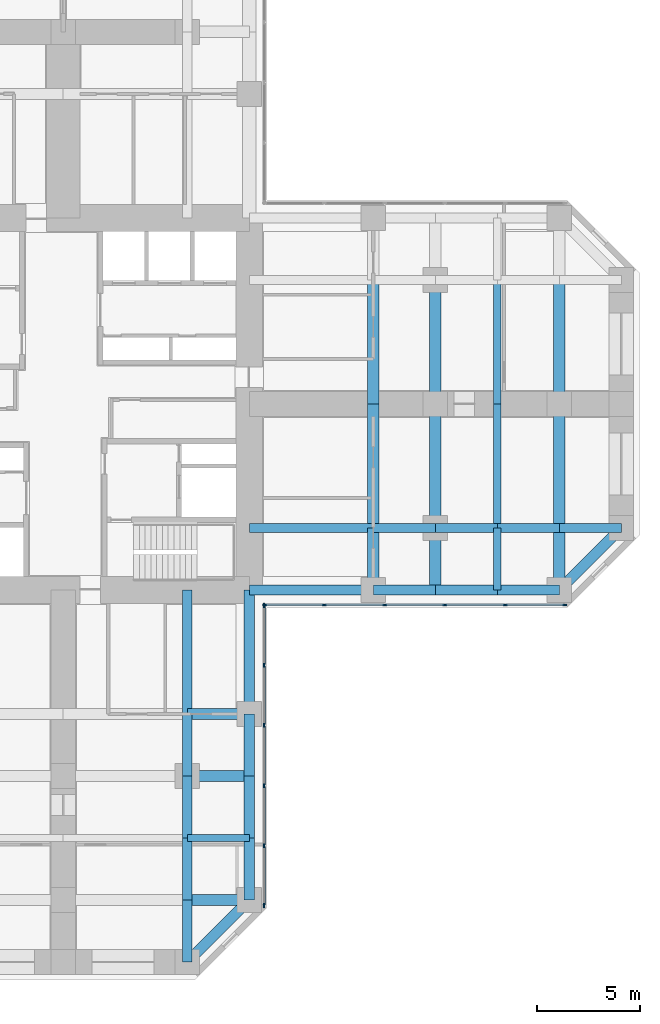
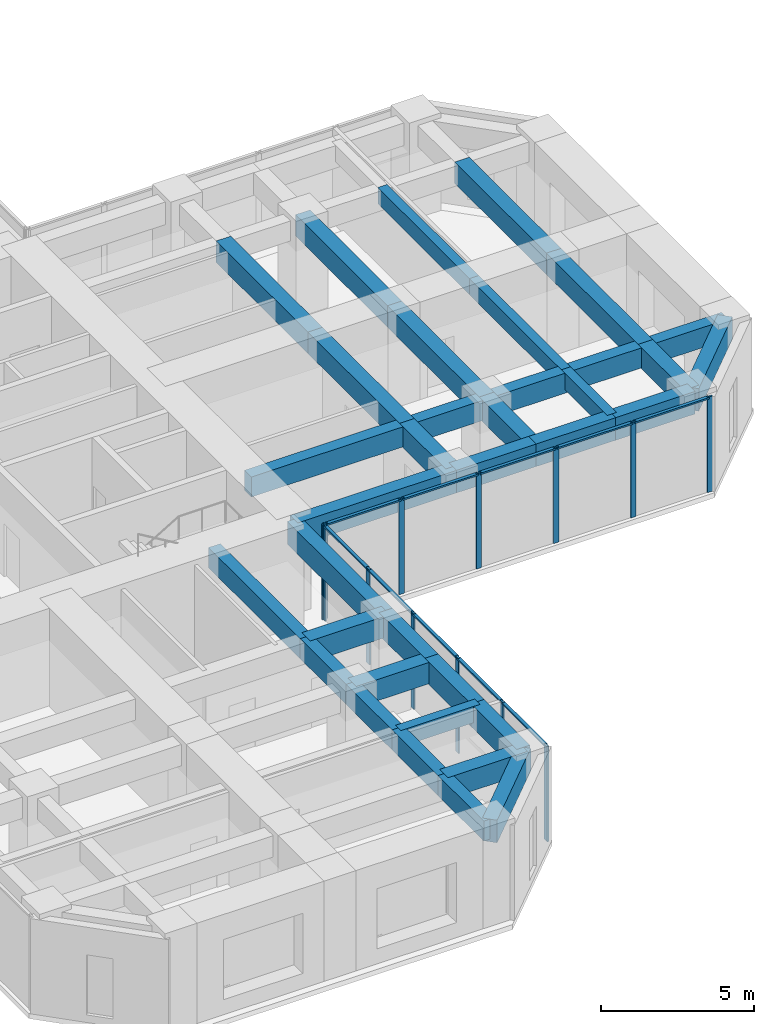
# One storey, part 4 of 12: 36 beams, 22 members, 2 elements without a shape of their own.
"""IFC4 building model written with IfcOpenShell, lengths in metres."""

import ifcopenshell
import ifcopenshell.guid

model = None  # the IFC model being written
_history = None  # IfcOwnerHistory: only IFC2X3 demands one
_inside = {}  # id of a spatial element -> (the spatial element, [elements in it])
_under = {}  # id of a project, library or spatial element -> (it, [spatial elements below it])
_declared = {}  # id of a project -> (the project, [libraries it declares])
_typed = {}  # id of a type object -> (the type object, [elements of that type])
_made_of = {}  # id of a material, layer set ... -> (it, [elements and type objects made of it])


def new_model(schema):
    """Start an empty IFC model of exactly this schema.

    Asked for "IFC4X3", IfcOpenShell would pick the latest addendum, in which some entities
    have other attributes; the version numbers below select the first issue.
    IFC2X3 requires an IfcOwnerHistory on every rooted entity: one is made here for all.
    """
    global model, _history
    if schema == "IFC4X3":
        model = ifcopenshell.file(schema_version=(4, 3, 0, 0))
    else:
        model = ifcopenshell.file(schema=schema)
    _inside.clear()
    _under.clear()
    _declared.clear()
    _typed.clear()
    _made_of.clear()
    _history = None
    if model.schema == "IFC2X3":
        org = make("IfcOrganization", Name="unknown")
        user = make(
            "IfcPersonAndOrganization",
            ThePerson=make("IfcPerson", FamilyName="unknown"),
            TheOrganization=org,
        )
        app = make(
            "IfcApplication",
            ApplicationDeveloper=org,
            Version="unknown",
            ApplicationFullName="unknown",
            ApplicationIdentifier="unknown",
        )
        _history = make(
            "IfcOwnerHistory",
            OwningUser=user,
            OwningApplication=app,
            ChangeAction="ADDED",
            CreationDate=0,
        )
    return model


def make(cls, **values):
    """One entity of the class cls with the attributes given. An attribute that is None is left unset."""
    return model.create_entity(
        cls, **{name: value for name, value in values.items() if value is not None}
    )


def rooted(cls, **values):
    """An entity with a GlobalId (a new one), such as an element, a storey or a relation."""
    return make(cls, GlobalId=ifcopenshell.guid.new(), OwnerHistory=_history, **values)


def si_unit(unit_type, name, prefix=None):
    """IfcSIUnit, for example si_unit("LENGTHUNIT", "METRE", prefix="MILLI")."""
    return make("IfcSIUnit", UnitType=unit_type, Prefix=prefix, Name=name)


def assignment(units):
    """IfcUnitAssignment: the units of a project."""
    return None if units is None else make("IfcUnitAssignment", Units=units)


def point(xyz):
    """IfcCartesianPoint."""
    return None if xyz is None else make("IfcCartesianPoint", Coordinates=xyz)


def direction(xyz):
    """IfcDirection."""
    return None if xyz is None else make("IfcDirection", DirectionRatios=xyz)


def frame(location, z_axis=None, x_axis=None):
    """IfcAxis2Placement3D, a coordinate frame: its origin and axes. An axis left out is left unset."""
    return make(
        "IfcAxis2Placement3D",
        Location=point(location),
        Axis=direction(z_axis),
        RefDirection=direction(x_axis),
    )


def frame_2d(location, x_axis=None):
    """IfcAxis2Placement2D, a coordinate frame in the plane: its origin and x axis."""
    return make(
        "IfcAxis2Placement2D", Location=point(location), RefDirection=direction(x_axis)
    )


def origin():
    """The frame at (0, 0, 0) with its axes left unset."""
    return frame((0.0, 0.0, 0.0))


def origin_2d():
    """The frame at (0, 0) in the plane with its x axis left unset."""
    return frame_2d((0.0, 0.0))


def place(relative_to, where):
    """IfcLocalPlacement: puts the frame where relative to a parent placement (None: the world)."""
    return make(
        "IfcLocalPlacement", PlacementRelTo=relative_to, RelativePlacement=where
    )


def context(
    kind, dimensions, precision=None, world=None, true_north=None, identifier=None
):
    """IfcGeometricRepresentationContext, for example the 3D "Model" context."""
    return make(
        "IfcGeometricRepresentationContext",
        ContextIdentifier=identifier,
        ContextType=kind,
        CoordinateSpaceDimension=dimensions,
        Precision=precision,
        WorldCoordinateSystem=world,
        TrueNorth=true_north,
    )


def subcontext(parent, identifier, kind, view, scale=None):
    """IfcGeometricRepresentationSubContext, for example "Body" below "Model"."""
    return make(
        "IfcGeometricRepresentationSubContext",
        ContextIdentifier=identifier,
        ContextType=kind,
        ParentContext=parent,
        TargetScale=scale,
        TargetView=view,
    )


def project(units=None, contexts=None):
    """IfcProject with its units and contexts."""
    return rooted(
        "IfcProject",
        Name="project",
        RepresentationContexts=contexts,
        UnitsInContext=assignment(units),
    )


def spatial(cls, under=None, at=None, **own):
    """A site, building, storey or space (cls), placed at a placement, below another one or the project."""
    s = rooted(cls, ObjectPlacement=at, **own)
    if under is not None:
        _under.setdefault(under.id(), (under, []))[1].append(s)
    return s


def profile(cls, at=None, kind="AREA", **sizes):
    """A parametric profile (cls). Its sizes go by their IFC names, for example OverallWidth=200.0."""
    return make(cls, ProfileType=kind, Position=at, **sizes)


def rectangle(**sizes):
    """IfcRectangleProfileDef."""
    return profile("IfcRectangleProfileDef", **sizes)


def extrude(swept, where, along, depth):
    """IfcExtrudedAreaSolid: the profile swept, set in the frame where, extruded along a direction by depth."""
    return make(
        "IfcExtrudedAreaSolid",
        SweptArea=swept,
        Position=where,
        ExtrudedDirection=direction(along),
        Depth=depth,
    )


def shape(context_of_items, identifier, shape_type, items):
    """IfcShapeRepresentation: the items that make up one representation, for example the "Body"."""
    return make(
        "IfcShapeRepresentation",
        ContextOfItems=context_of_items,
        RepresentationIdentifier=identifier,
        RepresentationType=shape_type,
        Items=items,
    )


def material(Name=None, Category=None):
    """IfcMaterial."""
    return make("IfcMaterial", Name=Name, Category=Category)


def material_profile(
    of_material, cross_section, Name=None, Category=None, Priority=None
):
    """IfcMaterialProfile: a cross section and its material."""
    return make(
        "IfcMaterialProfile",
        Name=Name,
        Material=of_material,
        Profile=cross_section,
        Priority=Priority,
        Category=Category,
    )


def profile_set(profiles, Name=None, composite=None):
    """IfcMaterialProfileSet."""
    return make(
        "IfcMaterialProfileSet",
        Name=Name,
        MaterialProfiles=profiles,
        CompositeProfile=composite,
    )


def made_of(thing, what):
    """Note that an element or type object is made of a material, layer set ...; save() writes the relation."""
    if what is not None:
        _made_of.setdefault(what.id(), (what, []))[1].append(thing)
    return thing


def type_object(cls, material=None, **own):
    """A type object (cls), such as IfcWallType, which elements share."""
    return made_of(rooted(cls, **own), material)


def element(
    cls,
    number,
    at=None,
    inside=None,
    cuts=None,
    type_object=None,
    material=None,
    context=None,
    identifier="Body",
    shape_type=None,
    held_by="IfcProductDefinitionShape",
    body=None,
    shapes=None,
    **own,
):
    """One element of the class cls, such as IfcWall. Its Tag is "e" and its number.

    at: its placement. inside: the storey or other place that contains it. cuts: it is an
    opening in that element (IfcRelVoidsElement). A single representation is given by context,
    identifier, shape_type and body (its items); several are given by shapes. held_by: the class
    of the entity that holds the representations. save() writes the other relations.
    """
    e = rooted(cls, Tag="e%d" % number, ObjectPlacement=at, **own)
    if body is not None:
        shapes = [shape(context, identifier, shape_type, body)]
    if shapes is not None:
        e.Representation = make(held_by, Representations=shapes)
    if inside is not None:
        _inside.setdefault(inside.id(), (inside, []))[1].append(e)
    if cuts is not None:
        rooted(
            "IfcRelVoidsElement", RelatingBuildingElement=cuts, RelatedOpeningElement=e
        )
    if type_object is not None:
        _typed.setdefault(type_object.id(), (type_object, []))[1].append(e)
    return made_of(e, material)


def aggregate(whole, parts):
    """IfcRelAggregates: a whole, such as a stair, and the parts it consists of."""
    return rooted("IfcRelAggregates", RelatingObject=whole, RelatedObjects=parts)


def save(model, path):
    """Write the relations noted so far, then the file.

    IfcRelAggregates (storeys below a building ...), IfcRelContainedInSpatialStructure (elements
    in a storey), IfcRelDefinesByType, IfcRelAssociatesMaterial and IfcRelDeclares: one each for
    every whole, place, type object, material and project.
    """
    for whole, parts in _under.values():
        aggregate(whole, parts)
    for where, things in _inside.values():
        rooted(
            "IfcRelContainedInSpatialStructure",
            RelatedElements=things,
            RelatingStructure=where,
        )
    for kind, things in _typed.values():
        rooted("IfcRelDefinesByType", RelatedObjects=things, RelatingType=kind)
    for what, things in _made_of.values():
        rooted("IfcRelAssociatesMaterial", RelatedObjects=things, RelatingMaterial=what)
    for by, libraries in _declared.values():
        rooted("IfcRelDeclares", RelatingContext=by, RelatedDefinitions=libraries)
    model.write(path)


model = new_model("IFC4")

# Units and contexts
model_context = context("Model", 3, precision=1e-05, world=origin(), true_north=direction((0.0, 1.0)))
body_context = subcontext(model_context, "Body", "Model", "MODEL_VIEW")
ifc_project = project(units=[si_unit("LENGTHUNIT", "METRE"), si_unit("AREAUNIT", "SQUARE_METRE"), si_unit("VOLUMEUNIT", "CUBIC_METRE"), si_unit("PLANEANGLEUNIT", "RADIAN"), si_unit("MASSUNIT", "GRAM", prefix="KILO")], contexts=[model_context])

# Site, building, storey
site_placement = place(None, origin())
site = spatial("IfcSite", under=ifc_project, at=site_placement, CompositionType="ELEMENT")
building_placement = place(site_placement, origin())
building = spatial("IfcBuilding", under=site, at=building_placement, Name="Torre Cruceta", CompositionType="ELEMENT")
storey_placement = place(building_placement, frame((0.0, 0.0, 83.5)))
storey = spatial("IfcBuildingStorey", under=building, at=storey_placement, Name="L20", CompositionType="ELEMENT", Elevation=83.5)

# Beams
ifc_material_1 = material(Name="Concrete G60 (fck 60 MPa)", Category="concrete")
ifc_material_profile_1 = material_profile(ifc_material_1, rectangle(XDim=0.449951171875, YDim=0.800048828125, at=origin_2d()), Name="RC 450X800")
ifc_profile_set_1 = profile_set([ifc_material_profile_1], Name="Concrete G60 (fck 60 MPa)")
beam_type_1 = type_object("IfcBeamType", Name="COLUMN LINE BEAM RC 450X800", PredefinedType="BEAM", material=ifc_profile_set_1)
beam_1_placement = place(storey_placement, frame((9.0, -6.0, 3.39990234375), z_axis=(1.0, 0.0, 0.0), x_axis=(0.0, 1.0, 0.0)))
element("IfcBeam", 1, at=beam_1_placement, inside=storey, type_object=beam_type_1, Name="LB1 L20 E col- 1", PredefinedType="BEAM", context=body_context, shape_type="SweptSolid", body=[
    extrude(rectangle(XDim=0.449951171875, YDim=0.800048828125, at=origin_2d()), origin(), (0.0, 0.0, 1.0), 6.0),
])
for number, where, z_axis, x_axis, name in (
    (2, (15.0, -6.0, 3.39990234375), (1.0, 0.0, 0.0), (0.0, 1.0, 0.0), "LB1 L20 E col- 2"),
    (3, (18.0, -6.0, 3.39990234375), (1.0, 0.0, 0.0), (0.0, 1.0, 0.0), "LB1 L20 E col- 3"),
    (4, (21.0, -6.0, 3.39990234375), (1.0, 0.0, 0.0), (0.0, 1.0, 0.0), "LB1 L20 E col- 4"),
    (5, (24.0, -6.0, 3.39990234375), (1.0, 0.0, 0.0), (0.0, 1.0, 0.0), "LB1 L20 E col- 5"),
):
    element("IfcBeam", number, at=place(storey_placement, frame(where, z_axis=z_axis, x_axis=x_axis)), inside=storey, type_object=beam_type_1, Name=name, PredefinedType="BEAM", context=body_context, shape_type="SweptSolid", body=[
        extrude(rectangle(XDim=0.449951171875, YDim=0.800048828125, at=origin_2d()), origin(), (0.0, 0.0, 1.0), 3.0),
    ])
beam_2_placement = place(storey_placement, frame((6.0, -9.0, 3.39990234375), z_axis=(0.0, -1.0, 0.0), x_axis=(1.0, 0.0, 0.0)))
element("IfcBeam", 6, at=beam_2_placement, inside=storey, type_object=beam_type_1, Name="LB1 L20 S col+ 1", PredefinedType="BEAM", context=body_context, shape_type="SweptSolid", body=[
    extrude(rectangle(XDim=0.449951171875, YDim=0.800048828125, at=origin_2d()), origin(), (0.0, 0.0, 1.0), 6.0),
])
for number, where, z_axis, x_axis, name in (
    (7, (6.0, -15.0, 3.39990234375), (0.0, -1.0, 0.0), (1.0, 0.0, 0.0), "LB1 L20 S col+ 2"),
    (8, (6.0, -18.0, 3.39990234375), (0.0, -1.0, 0.0), (1.0, 0.0, 0.0), "LB1 L20 S col+ 3"),
    (9, (6.0, -21.0, 3.39990234375), (0.0, -1.0, 0.0), (1.0, 0.0, 0.0), "LB1 L20 S col+ 4"),
    (10, (6.0, -24.0, 3.39990234375), (0.0, -1.0, 0.0), (1.0, 0.0, 0.0), "LB1 L20 S col+ 5"),
):
    element("IfcBeam", number, at=place(storey_placement, frame(where, z_axis=z_axis, x_axis=x_axis)), inside=storey, type_object=beam_type_1, Name=name, PredefinedType="BEAM", context=body_context, shape_type="SweptSolid", body=[
        extrude(rectangle(XDim=0.449951171875, YDim=0.800048828125, at=origin_2d()), origin(), (0.0, 0.0, 1.0), 3.0),
    ])
ifc_material_2 = material(Name="Concrete G60 (fck 60 MPa)", Category="concrete")
ifc_material_profile_2 = material_profile(ifc_material_2, rectangle(XDim=0.550048828125, YDim=0.85009765625, at=origin_2d()), Name="RC 550X850")
ifc_profile_set_2 = profile_set([ifc_material_profile_2], Name="Concrete G60 (fck 60 MPa)")
beam_type_2 = type_object("IfcBeamType", Name="CROSS BEAM RC 550X850", PredefinedType="BEAM", material=ifc_profile_set_2)
beam_3_placement = place(storey_placement, frame((15.0, -9.0, 3.375), z_axis=(0.0, 1.0, 0.0), x_axis=(-1.0, 0.0, 0.0)))
element("IfcBeam", 11, at=beam_3_placement, inside=storey, type_object=beam_type_2, Name="GB4 L20 E cross15 1", PredefinedType="BEAM", context=body_context, shape_type="SweptSolid", body=[
    extrude(rectangle(XDim=0.550048828125, YDim=0.85009765625, at=origin_2d()), origin(), (0.0, 0.0, 1.0), 3.0),
])
for number, where, z_axis, x_axis, name in (
    (12, (15.0, -6.0, 3.375), (0.0, 1.0, 0.0), (-1.0, 0.0, 0.0), "GB4 L20 E cross15 2"),
    (13, (15.0, 0.0, 3.375), (0.0, 1.0, 0.0), (-1.0, 0.0, 0.0), "GB4 L20 E cross15 3"),
):
    element("IfcBeam", number, at=place(storey_placement, frame(where, z_axis=z_axis, x_axis=x_axis)), inside=storey, type_object=beam_type_2, Name=name, PredefinedType="BEAM", context=body_context, shape_type="SweptSolid", body=[
        extrude(rectangle(XDim=0.550048828125, YDim=0.85009765625, at=origin_2d()), origin(), (0.0, 0.0, 1.0), 6.0),
    ])
beam_4_placement = place(storey_placement, frame((18.0, -9.0, 3.375), z_axis=(0.0, 1.0, 0.0), x_axis=(-1.0, 0.0, 0.0)))
element("IfcBeam", 14, at=beam_4_placement, inside=storey, type_object=beam_type_2, Name="GB4 L20 E cross18 1", PredefinedType="BEAM", context=body_context, shape_type="SweptSolid", body=[
    extrude(rectangle(XDim=0.550048828125, YDim=0.85009765625, at=origin_2d()), origin(), (0.0, 0.0, 1.0), 3.0),
])
for number, where, z_axis, x_axis, name in (
    (15, (18.0, -6.0, 3.375), (0.0, 1.0, 0.0), (-1.0, 0.0, 0.0), "GB4 L20 E cross18 2"),
    (16, (18.0, 0.0, 3.375), (0.0, 1.0, 0.0), (-1.0, 0.0, 0.0), "GB4 L20 E cross18 3"),
):
    element("IfcBeam", number, at=place(storey_placement, frame(where, z_axis=z_axis, x_axis=x_axis)), inside=storey, type_object=beam_type_2, Name=name, PredefinedType="BEAM", context=body_context, shape_type="SweptSolid", body=[
        extrude(rectangle(XDim=0.550048828125, YDim=0.85009765625, at=origin_2d()), origin(), (0.0, 0.0, 1.0), 6.0),
    ])
beam_5_placement = place(storey_placement, frame((24.0, -9.0, 3.375), z_axis=(0.0, 1.0, 0.0), x_axis=(-1.0, 0.0, 0.0)))
element("IfcBeam", 17, at=beam_5_placement, inside=storey, type_object=beam_type_2, Name="GB4 L20 E cross24 1", PredefinedType="BEAM", context=body_context, shape_type="SweptSolid", body=[
    extrude(rectangle(XDim=0.550048828125, YDim=0.85009765625, at=origin_2d()), origin(), (0.0, 0.0, 1.0), 3.0),
])
for number, where, z_axis, x_axis, name in (
    (18, (24.0, -6.0, 3.375), (0.0, 1.0, 0.0), (-1.0, 0.0, 0.0), "GB4 L20 E cross24 2"),
    (19, (24.0, 0.0, 3.375), (0.0, 1.0, 0.0), (-1.0, 0.0, 0.0), "GB4 L20 E cross24 3"),
):
    element("IfcBeam", number, at=place(storey_placement, frame(where, z_axis=z_axis, x_axis=x_axis)), inside=storey, type_object=beam_type_2, Name=name, PredefinedType="BEAM", context=body_context, shape_type="SweptSolid", body=[
        extrude(rectangle(XDim=0.550048828125, YDim=0.85009765625, at=origin_2d()), origin(), (0.0, 0.0, 1.0), 6.0),
    ])
for number, where, z_axis, x_axis, name in (
    (20, (6.0, -15.0, 3.375), (1.0, 0.0, 0.0), (0.0, 1.0, 0.0), "GB4 L20 S cross15 4"),
    (21, (6.0, -18.0, 3.375), (1.0, 0.0, 0.0), (0.0, 1.0, 0.0), "GB4 L20 S cross18 4"),
    (22, (6.0, -24.0, 3.375), (1.0, 0.0, 0.0), (0.0, 1.0, 0.0), "GB4 L20 S cross24 4"),
):
    element("IfcBeam", number, at=place(storey_placement, frame(where, z_axis=z_axis, x_axis=x_axis)), inside=storey, type_object=beam_type_2, Name=name, PredefinedType="BEAM", context=body_context, shape_type="SweptSolid", body=[
        extrude(rectangle(XDim=0.550048828125, YDim=0.85009765625, at=origin_2d()), origin(), (0.0, 0.0, 1.0), 3.0),
    ])

# Curtain wall, members
ifc_material_3 = material(Name="Aluminium unitised curtain wall", Category="aluminium")
curtain_wall_type = type_object("IfcCurtainWallType", Name="CURTAIN WALL CW-A OFFICE LOW RISE", PredefinedType="USERDEFINED", material=ifc_material_3)
curtain_wall_1_placement = place(storey_placement, origin())
curtain_wall_1 = element("IfcCurtainWall", 23, at=curtain_wall_1_placement, inside=storey, type_object=curtain_wall_type, Name="CW-A L20 E side 00", ObjectType="UNITISED", PredefinedType="USERDEFINED")
ifc_material_4 = material(Name="Aluminium mullion", Category="aluminium")
ifc_material_profile_3 = material_profile(ifc_material_4, rectangle(XDim=0.06494140625, YDim=0.199951171875, at=origin_2d()), Name="AL 65X200")
ifc_profile_set_3 = profile_set([ifc_material_profile_3], Name="Aluminium mullion")
member_type_1 = type_object("IfcMemberType", Name="CW-A MULLION 65X200", PredefinedType="MULLION", material=ifc_profile_set_3)
member_1_placement = place(storey_placement, frame((9.75244140625, -9.719970703125, 0.0), z_axis=(0.0, 0.0, 1.0), x_axis=(0.0, 1.0, 0.0)))
member_1 = element("IfcMember", 24, at=member_1_placement, type_object=member_type_1, Name="CW-A mullion 1", PredefinedType="MULLION", context=body_context, shape_type="SweptSolid", body=[
    extrude(rectangle(XDim=0.06494140625, YDim=0.199951171875, at=origin_2d()), origin(), (0.0, 0.0, 1.0), 3.800048828125),
])
member_2_placement = place(storey_placement, frame((12.6357421875, -9.719970703125, 0.0), z_axis=(0.0, 0.0, 1.0), x_axis=(0.0, 1.0, 0.0)))
member_2 = element("IfcMember", 25, at=member_2_placement, type_object=member_type_1, Name="CW-A mullion 2", PredefinedType="MULLION", context=body_context, shape_type="SweptSolid", body=[
    extrude(rectangle(XDim=0.06494140625, YDim=0.199951171875, at=origin_2d()), origin(), (0.0, 0.0, 1.0), 3.800048828125),
])
member_3_placement = place(storey_placement, frame((15.55126953125, -9.719970703125, 0.0), z_axis=(0.0, 0.0, 1.0), x_axis=(0.0, 1.0, 0.0)))
member_3 = element("IfcMember", 26, at=member_3_placement, type_object=member_type_1, Name="CW-A mullion 3", PredefinedType="MULLION", context=body_context, shape_type="SweptSolid", body=[
    extrude(rectangle(XDim=0.06494140625, YDim=0.199951171875, at=origin_2d()), origin(), (0.0, 0.0, 1.0), 3.800048828125),
])
member_4_placement = place(storey_placement, frame((18.467041015625, -9.719970703125, 0.0), z_axis=(0.0, 0.0, 1.0), x_axis=(0.0, 1.0, 0.0)))
member_4 = element("IfcMember", 27, at=member_4_placement, type_object=member_type_1, Name="CW-A mullion 4", PredefinedType="MULLION", context=body_context, shape_type="SweptSolid", body=[
    extrude(rectangle(XDim=0.06494140625, YDim=0.199951171875, at=origin_2d()), origin(), (0.0, 0.0, 1.0), 3.800048828125),
])
member_5_placement = place(storey_placement, frame((21.382568359375, -9.719970703125, 0.0), z_axis=(0.0, 0.0, 1.0), x_axis=(0.0, 1.0, 0.0)))
member_5 = element("IfcMember", 28, at=member_5_placement, type_object=member_type_1, Name="CW-A mullion 5", PredefinedType="MULLION", context=body_context, shape_type="SweptSolid", body=[
    extrude(rectangle(XDim=0.06494140625, YDim=0.199951171875, at=origin_2d()), origin(), (0.0, 0.0, 1.0), 3.800048828125),
])
member_6_placement = place(storey_placement, frame((24.265625, -9.719970703125, 0.0), z_axis=(0.0, 0.0, 1.0), x_axis=(0.0, 1.0, 0.0)))
member_6 = element("IfcMember", 29, at=member_6_placement, type_object=member_type_1, Name="CW-A mullion 6", PredefinedType="MULLION", context=body_context, shape_type="SweptSolid", body=[
    extrude(rectangle(XDim=0.06494140625, YDim=0.199951171875, at=origin_2d()), origin(), (0.0, 0.0, 1.0), 3.800048828125),
])

curtain_wall_2_placement = place(storey_placement, origin())
curtain_wall_2 = element("IfcCurtainWall", 30, at=curtain_wall_2_placement, inside=storey, type_object=curtain_wall_type, Name="CW-A L20 S side 19", ObjectType="UNITISED", PredefinedType="USERDEFINED")
member_7_placement = place(storey_placement, frame((9.719970703125, -24.265625, 0.0), z_axis=(0.0, 0.0, 1.0), x_axis=(-1.0, 0.0, 0.0)))
member_7 = element("IfcMember", 31, at=member_7_placement, type_object=member_type_1, Name="CW-A mullion 1", PredefinedType="MULLION", context=body_context, shape_type="SweptSolid", body=[
    extrude(rectangle(XDim=0.06494140625, YDim=0.199951171875, at=origin_2d()), origin(), (0.0, 0.0, 1.0), 3.800048828125),
])
member_8_placement = place(storey_placement, frame((9.719970703125, -21.382568359375, 0.0), z_axis=(0.0, 0.0, 1.0), x_axis=(-1.0, 0.0, 0.0)))
member_8 = element("IfcMember", 32, at=member_8_placement, type_object=member_type_1, Name="CW-A mullion 2", PredefinedType="MULLION", context=body_context, shape_type="SweptSolid", body=[
    extrude(rectangle(XDim=0.06494140625, YDim=0.199951171875, at=origin_2d()), origin(), (0.0, 0.0, 1.0), 3.800048828125),
])
member_9_placement = place(storey_placement, frame((9.719970703125, -18.467041015625, 0.0), z_axis=(0.0, 0.0, 1.0), x_axis=(-1.0, 0.0, 0.0)))
member_9 = element("IfcMember", 33, at=member_9_placement, type_object=member_type_1, Name="CW-A mullion 3", PredefinedType="MULLION", context=body_context, shape_type="SweptSolid", body=[
    extrude(rectangle(XDim=0.06494140625, YDim=0.199951171875, at=origin_2d()), origin(), (0.0, 0.0, 1.0), 3.800048828125),
])
member_10_placement = place(storey_placement, frame((9.719970703125, -15.55126953125, 0.0), z_axis=(0.0, 0.0, 1.0), x_axis=(-1.0, 0.0, 0.0)))
member_10 = element("IfcMember", 34, at=member_10_placement, type_object=member_type_1, Name="CW-A mullion 4", PredefinedType="MULLION", context=body_context, shape_type="SweptSolid", body=[
    extrude(rectangle(XDim=0.06494140625, YDim=0.199951171875, at=origin_2d()), origin(), (0.0, 0.0, 1.0), 3.800048828125),
])
member_11_placement = place(storey_placement, frame((9.719970703125, -12.6357421875, 0.0), z_axis=(0.0, 0.0, 1.0), x_axis=(-1.0, 0.0, 0.0)))
member_11 = element("IfcMember", 35, at=member_11_placement, type_object=member_type_1, Name="CW-A mullion 5", PredefinedType="MULLION", context=body_context, shape_type="SweptSolid", body=[
    extrude(rectangle(XDim=0.06494140625, YDim=0.199951171875, at=origin_2d()), origin(), (0.0, 0.0, 1.0), 3.800048828125),
])
member_12_placement = place(storey_placement, frame((9.719970703125, -9.75244140625, 0.0), z_axis=(0.0, 0.0, 1.0), x_axis=(-1.0, 0.0, 0.0)))
member_12 = element("IfcMember", 36, at=member_12_placement, type_object=member_type_1, Name="CW-A mullion 6", PredefinedType="MULLION", context=body_context, shape_type="SweptSolid", body=[
    extrude(rectangle(XDim=0.06494140625, YDim=0.199951171875, at=origin_2d()), origin(), (0.0, 0.0, 1.0), 3.800048828125),
])

# Member
ifc_material_5 = material(Name="Aluminium transom", Category="aluminium")
ifc_material_profile_4 = material_profile(ifc_material_5, rectangle(XDim=0.1201171875, YDim=0.06494140625, at=origin_2d()), Name="AL 120X65")
ifc_profile_set_4 = profile_set([ifc_material_profile_4], Name="Aluminium transom")
member_type_2 = type_object("IfcMemberType", Name="CW-A TRANSOM 65X120", PredefinedType="USERDEFINED", material=ifc_profile_set_4)
member_13_placement = place(storey_placement, frame((9.784912109375, -9.719970703125, 3.767578125), z_axis=(1.0, 0.0, 0.0), x_axis=(0.0, 1.0, 0.0)))
member_13 = element("IfcMember", 37, at=member_13_placement, type_object=member_type_2, Name="CW-A transom 1", ObjectType="TRANSOM", PredefinedType="USERDEFINED", context=body_context, shape_type="SweptSolid", body=[
    extrude(rectangle(XDim=0.1201171875, YDim=0.06494140625, at=origin_2d()), origin(), (0.0, 0.0, 1.0), 2.818115234375),
])

member_14_placement = place(storey_placement, frame((12.668212890625, -9.719970703125, 3.767578125), z_axis=(1.0, 0.0, 0.0), x_axis=(0.0, 1.0, 0.0)))
member_14 = element("IfcMember", 38, at=member_14_placement, type_object=member_type_2, Name="CW-A transom 2", ObjectType="TRANSOM", PredefinedType="USERDEFINED", context=body_context, shape_type="SweptSolid", body=[
    extrude(rectangle(XDim=0.1201171875, YDim=0.06494140625, at=origin_2d()), origin(), (0.0, 0.0, 1.0), 2.8505859375),
])

member_15_placement = place(storey_placement, frame((15.583740234375, -9.719970703125, 3.767578125), z_axis=(1.0, 0.0, 0.0), x_axis=(0.0, 1.0, 0.0)))
member_15 = element("IfcMember", 39, at=member_15_placement, type_object=member_type_2, Name="CW-A transom 3", ObjectType="TRANSOM", PredefinedType="USERDEFINED", context=body_context, shape_type="SweptSolid", body=[
    extrude(rectangle(XDim=0.1201171875, YDim=0.06494140625, at=origin_2d()), origin(), (0.0, 0.0, 1.0), 2.8505859375),
])

member_16_placement = place(storey_placement, frame((18.49951171875, -9.719970703125, 3.767578125), z_axis=(1.0, 0.0, 0.0), x_axis=(0.0, 1.0, 0.0)))
member_16 = element("IfcMember", 40, at=member_16_placement, type_object=member_type_2, Name="CW-A transom 4", ObjectType="TRANSOM", PredefinedType="USERDEFINED", context=body_context, shape_type="SweptSolid", body=[
    extrude(rectangle(XDim=0.1201171875, YDim=0.06494140625, at=origin_2d()), origin(), (0.0, 0.0, 1.0), 2.8505859375),
])

member_17_placement = place(storey_placement, frame((21.4150390625, -9.719970703125, 3.767578125), z_axis=(1.0, 0.0, 0.0), x_axis=(0.0, 1.0, 0.0)))
member_17 = element("IfcMember", 41, at=member_17_placement, type_object=member_type_2, Name="CW-A transom 5", ObjectType="TRANSOM", PredefinedType="USERDEFINED", context=body_context, shape_type="SweptSolid", body=[
    extrude(rectangle(XDim=0.1201171875, YDim=0.06494140625, at=origin_2d()), origin(), (0.0, 0.0, 1.0), 2.818115234375),
])

aggregate(curtain_wall_1, [member_1, member_2, member_3, member_4, member_5, member_6, member_13, member_14, member_15, member_16, member_17])

member_18_placement = place(storey_placement, frame((9.719970703125, -24.233154296875, 3.767578125), z_axis=(0.0, 1.0, 0.0), x_axis=(-1.0, 0.0, 0.0)))
member_18 = element("IfcMember", 42, at=member_18_placement, type_object=member_type_2, Name="CW-A transom 1", ObjectType="TRANSOM", PredefinedType="USERDEFINED", context=body_context, shape_type="SweptSolid", body=[
    extrude(rectangle(XDim=0.1201171875, YDim=0.06494140625, at=origin_2d()), origin(), (0.0, 0.0, 1.0), 2.818115234375),
])

member_19_placement = place(storey_placement, frame((9.719970703125, -21.35009765625, 3.767578125), z_axis=(0.0, 1.0, 0.0), x_axis=(-1.0, 0.0, 0.0)))
member_19 = element("IfcMember", 43, at=member_19_placement, type_object=member_type_2, Name="CW-A transom 2", ObjectType="TRANSOM", PredefinedType="USERDEFINED", context=body_context, shape_type="SweptSolid", body=[
    extrude(rectangle(XDim=0.1201171875, YDim=0.06494140625, at=origin_2d()), origin(), (0.0, 0.0, 1.0), 2.8505859375),
])

member_20_placement = place(storey_placement, frame((9.719970703125, -18.434326171875, 3.767578125), z_axis=(0.0, 1.0, 0.0), x_axis=(-1.0, 0.0, 0.0)))
member_20 = element("IfcMember", 44, at=member_20_placement, type_object=member_type_2, Name="CW-A transom 3", ObjectType="TRANSOM", PredefinedType="USERDEFINED", context=body_context, shape_type="SweptSolid", body=[
    extrude(rectangle(XDim=0.1201171875, YDim=0.06494140625, at=origin_2d()), origin(), (0.0, 0.0, 1.0), 2.8505859375),
])

member_21_placement = place(storey_placement, frame((9.719970703125, -15.518798828125, 3.767578125), z_axis=(0.0, 1.0, 0.0), x_axis=(-1.0, 0.0, 0.0)))
member_21 = element("IfcMember", 45, at=member_21_placement, type_object=member_type_2, Name="CW-A transom 4", ObjectType="TRANSOM", PredefinedType="USERDEFINED", context=body_context, shape_type="SweptSolid", body=[
    extrude(rectangle(XDim=0.1201171875, YDim=0.06494140625, at=origin_2d()), origin(), (0.0, 0.0, 1.0), 2.8505859375),
])

member_22_placement = place(storey_placement, frame((9.719970703125, -12.60302734375, 3.767578125), z_axis=(0.0, 1.0, 0.0), x_axis=(-1.0, 0.0, 0.0)))
member_22 = element("IfcMember", 46, at=member_22_placement, type_object=member_type_2, Name="CW-A transom 5", ObjectType="TRANSOM", PredefinedType="USERDEFINED", context=body_context, shape_type="SweptSolid", body=[
    extrude(rectangle(XDim=0.1201171875, YDim=0.06494140625, at=origin_2d()), origin(), (0.0, 0.0, 1.0), 2.818115234375),
])

aggregate(curtain_wall_2, [member_7, member_8, member_9, member_10, member_11, member_12, member_18, member_19, member_20, member_21, member_22])

# Beams
ifc_material_6 = material(Name="Concrete G60 (fck 60 MPa)", Category="concrete")
ifc_material_profile_5 = material_profile(ifc_material_6, rectangle(XDim=0.35009765625, YDim=0.64990234375, at=origin_2d()), Name="RC 350X650")
ifc_profile_set_5 = profile_set([ifc_material_profile_5], Name="Concrete G60 (fck 60 MPa)")
beam_type_3 = type_object("IfcBeamType", Name="SECONDARY BEAM RC 350X650", PredefinedType="JOIST", material=ifc_profile_set_5)
beam_6_placement = place(storey_placement, frame((21.0, -9.0, 3.47509765625), z_axis=(0.0, 1.0, 0.0), x_axis=(-1.0, 0.0, 0.0)))
element("IfcBeam", 47, at=beam_6_placement, inside=storey, type_object=beam_type_3, Name="JB3 L20 E sec21 1", PredefinedType="JOIST", context=body_context, shape_type="SweptSolid", body=[
    extrude(rectangle(XDim=0.35009765625, YDim=0.64990234375, at=origin_2d()), origin(), (0.0, 0.0, 1.0), 3.0),
])
for number, where, z_axis, x_axis, name in (
    (48, (21.0, -6.0, 3.47509765625), (0.0, 1.0, 0.0), (-1.0, 0.0, 0.0), "JB3 L20 E sec21 2"),
    (49, (21.0, 0.0, 3.47509765625), (0.0, 1.0, 0.0), (-1.0, 0.0, 0.0), "JB3 L20 E sec21 3"),
):
    element("IfcBeam", number, at=place(storey_placement, frame(where, z_axis=z_axis, x_axis=x_axis)), inside=storey, type_object=beam_type_3, Name=name, PredefinedType="JOIST", context=body_context, shape_type="SweptSolid", body=[
        extrude(rectangle(XDim=0.35009765625, YDim=0.64990234375, at=origin_2d()), origin(), (0.0, 0.0, 1.0), 6.0),
    ])
beam_7_placement = place(storey_placement, frame((6.0, -21.0, 3.47509765625), z_axis=(1.0, 0.0, 0.0), x_axis=(0.0, 1.0, 0.0)))
element("IfcBeam", 50, at=beam_7_placement, inside=storey, type_object=beam_type_3, Name="JB3 L20 S sec21 4", PredefinedType="JOIST", context=body_context, shape_type="SweptSolid", body=[
    extrude(rectangle(XDim=0.35009765625, YDim=0.64990234375, at=origin_2d()), origin(), (0.0, 0.0, 1.0), 3.0),
])
ifc_material_7 = material(Name="Concrete G60 (fck 60 MPa)", Category="concrete")
ifc_material_profile_6 = material_profile(ifc_material_7, rectangle(XDim=0.5, YDim=0.89990234375, at=origin_2d()), Name="RC 500X900")
ifc_profile_set_6 = profile_set([ifc_material_profile_6], Name="Concrete G60 (fck 60 MPa)")
beam_type_4 = type_object("IfcBeamType", Name="SPANDREL BEAM RC 500X900", PredefinedType="SPANDREL", material=ifc_profile_set_6)
beam_8_placement = place(storey_placement, frame((9.0, -9.0, 3.35009765625), z_axis=(1.0, 0.0, 0.0), x_axis=(0.0, 1.0, 0.0)))
element("IfcBeam", 51, at=beam_8_placement, inside=storey, type_object=beam_type_4, Name="SB4 L20 E side- 1", PredefinedType="SPANDREL", context=body_context, shape_type="SweptSolid", body=[
    extrude(rectangle(XDim=0.5, YDim=0.89990234375, at=origin_2d()), origin(), (0.0, 0.0, 1.0), 6.0),
])
for number, where, z_axis, x_axis, name in (
    (52, (15.0, -9.0, 3.35009765625), (1.0, 0.0, 0.0), (0.0, 1.0, 0.0), "SB4 L20 E side- 2"),
    (53, (18.0, -9.0, 3.35009765625), (1.0, 0.0, 0.0), (0.0, 1.0, 0.0), "SB4 L20 E side- 3"),
    (54, (21.0, -9.0, 3.35009765625), (1.0, 0.0, 0.0), (0.0, 1.0, 0.0), "SB4 L20 E side- 4"),
):
    element("IfcBeam", number, at=place(storey_placement, frame(where, z_axis=z_axis, x_axis=x_axis)), inside=storey, type_object=beam_type_4, Name=name, PredefinedType="SPANDREL", context=body_context, shape_type="SweptSolid", body=[
        extrude(rectangle(XDim=0.5, YDim=0.89990234375, at=origin_2d()), origin(), (0.0, 0.0, 1.0), 3.0),
    ])
beam_9_placement = place(storey_placement, frame((24.0, -9.0, 3.35009765625), z_axis=(0.707106781187, 0.707106781187, 0.0), x_axis=(-0.707106781187, 0.707106781187, 0.0)))
element("IfcBeam", 55, at=beam_9_placement, inside=storey, type_object=beam_type_4, Name="SB4 L20 E side- 5", PredefinedType="SPANDREL", context=body_context, shape_type="SweptSolid", body=[
    extrude(rectangle(XDim=0.5, YDim=0.89990234375, at=origin_2d()), origin(), (0.0, 0.0, 1.0), 4.24267578125),
])
beam_10_placement = place(storey_placement, frame((9.0, -9.0, 3.35009765625), z_axis=(0.0, -1.0, 0.0), x_axis=(1.0, 0.0, 0.0)))
element("IfcBeam", 56, at=beam_10_placement, inside=storey, type_object=beam_type_4, Name="SB4 L20 S side+ 1", PredefinedType="SPANDREL", context=body_context, shape_type="SweptSolid", body=[
    extrude(rectangle(XDim=0.5, YDim=0.89990234375, at=origin_2d()), origin(), (0.0, 0.0, 1.0), 6.0),
])
for number, where, z_axis, x_axis, name in (
    (57, (9.0, -15.0, 3.35009765625), (0.0, -1.0, 0.0), (1.0, 0.0, 0.0), "SB4 L20 S side+ 2"),
    (58, (9.0, -18.0, 3.35009765625), (0.0, -1.0, 0.0), (1.0, 0.0, 0.0), "SB4 L20 S side+ 3"),
    (59, (9.0, -21.0, 3.35009765625), (0.0, -1.0, 0.0), (1.0, 0.0, 0.0), "SB4 L20 S side+ 4"),
):
    element("IfcBeam", number, at=place(storey_placement, frame(where, z_axis=z_axis, x_axis=x_axis)), inside=storey, type_object=beam_type_4, Name=name, PredefinedType="SPANDREL", context=body_context, shape_type="SweptSolid", body=[
        extrude(rectangle(XDim=0.5, YDim=0.89990234375, at=origin_2d()), origin(), (0.0, 0.0, 1.0), 3.0),
    ])
beam_11_placement = place(storey_placement, frame((9.0, -24.0, 3.35009765625), z_axis=(-0.707106781187, -0.707106781187, 0.0), x_axis=(0.707106781187, -0.707106781187, 0.0)))
element("IfcBeam", 60, at=beam_11_placement, inside=storey, type_object=beam_type_4, Name="SB4 L20 S side+ 5", PredefinedType="SPANDREL", context=body_context, shape_type="SweptSolid", body=[
    extrude(rectangle(XDim=0.5, YDim=0.89990234375, at=origin_2d()), origin(), (0.0, 0.0, 1.0), 4.24267578125),
])

save(model, "model.ifc")
